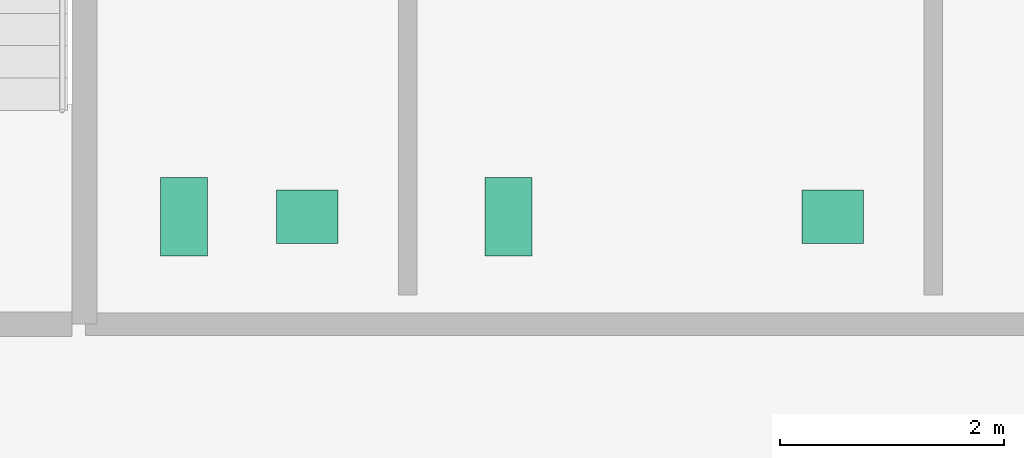
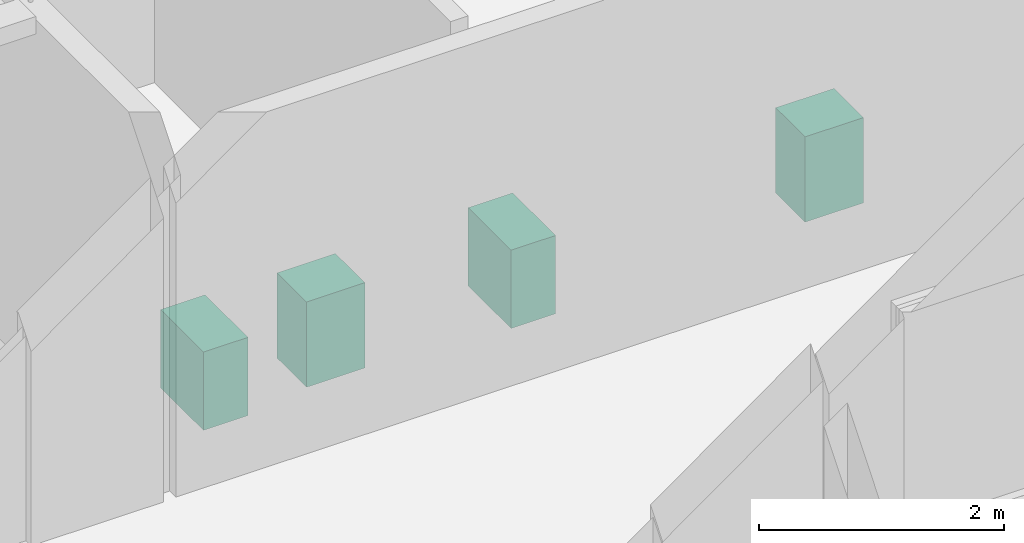
# One storey, part 14 of 14: 4 sanitary terminals.
"""IFC4 building model written with IfcOpenShell, lengths in metres."""

from ifc_helpers import new_model, si_unit, direction, frame, origin, origin_2d, place, context, subcontext, project, spatial, rectangle, extrude, material, type_object, element, save


model = new_model("IFC4")

# Units and contexts
model_context = context("Model", 3, precision=1e-05, world=origin(), true_north=direction((0.0, 1.0)))
body_context = subcontext(model_context, "Body", "Model", "MODEL_VIEW")
ifc_project = project(units=[si_unit("LENGTHUNIT", "METRE"), si_unit("AREAUNIT", "SQUARE_METRE"), si_unit("VOLUMEUNIT", "CUBIC_METRE"), si_unit("PLANEANGLEUNIT", "RADIAN"), si_unit("MASSUNIT", "GRAM", prefix="KILO")], contexts=[model_context])

# Site, building, storey
site_placement = place(None, origin())
site = spatial("IfcSite", under=ifc_project, at=site_placement, CompositionType="ELEMENT")
building_placement = place(site_placement, origin())
building = spatial("IfcBuilding", under=site, at=building_placement, Name="Norrvale University Quadrangle", CompositionType="ELEMENT")
storey_placement = place(building_placement, frame((0.0, 0.0, 156.0)))
storey = spatial("IfcBuildingStorey", under=building, at=storey_placement, Name="L39", CompositionType="ELEMENT", Elevation=156.0)

# Sanitary terminals
ifc_material = material(Name="Vitreous China Sanitaryware")
sanitary_terminal_type_1 = type_object("IfcSanitaryTerminalType", Name="Sanitary Wash Basin", PredefinedType="WASHHANDBASIN", material=ifc_material)
for number, where, z_axis, x_axis, name in (
    (1, (8.300048828125, 41.10009765625, 0.0), (0.0, 0.0, 1.0), (1.0, 0.0, 0.0), "Accessible Countertop Washbasin L39-1"),
    (2, (13.0, 41.10009765625, 0.0), (0.0, 0.0, 1.0), (1.0, 0.0, 0.0), "Accessible Countertop Washbasin L39-2"),
):
    element("IfcSanitaryTerminal", number, at=place(storey_placement, frame(where, z_axis=z_axis, x_axis=x_axis)), inside=storey, type_object=sanitary_terminal_type_1, Name=name, PredefinedType="WASHHANDBASIN", context=body_context, shape_type="SweptSolid", body=[
        extrude(rectangle(XDim=0.550048828125, YDim=0.47998046875, at=origin_2d()), origin(), (0.0, 0.0, 1.0), 0.85009765625),
    ])
sanitary_terminal_type_2 = type_object("IfcSanitaryTerminalType", Name="Sanitary Water Closet", PredefinedType="TOILETPAN", material=ifc_material)
for number, where, z_axis, x_axis, name in (
    (3, (7.199951171875, 41.10009765625, 0.0), (0.0, 0.0, 1.0), (1.0, 0.0, 0.0), "Wall-Hung Water Closet L39-1"),
    (4, (10.10009765625, 41.10009765625, 0.0), (0.0, 0.0, 1.0), (1.0, 0.0, 0.0), "Wall-Hung Water Closet L39-2"),
):
    element("IfcSanitaryTerminal", number, at=place(storey_placement, frame(where, z_axis=z_axis, x_axis=x_axis)), inside=storey, type_object=sanitary_terminal_type_2, Name=name, PredefinedType="TOILETPAN", context=body_context, shape_type="SweptSolid", body=[
        extrude(rectangle(XDim=0.419921875, YDim=0.699951171875, at=origin_2d()), origin(), (0.0, 0.0, 1.0), 0.780029296875),
    ])

save(model, "model.ifc")
